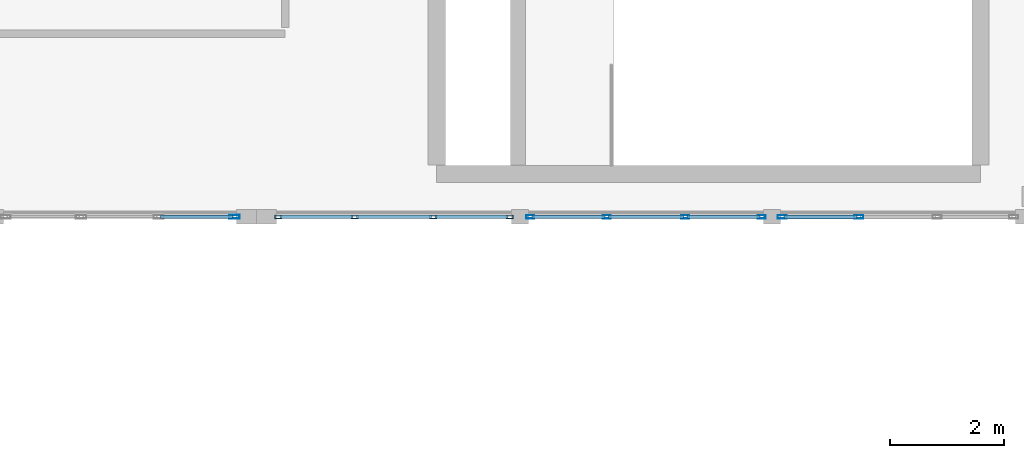
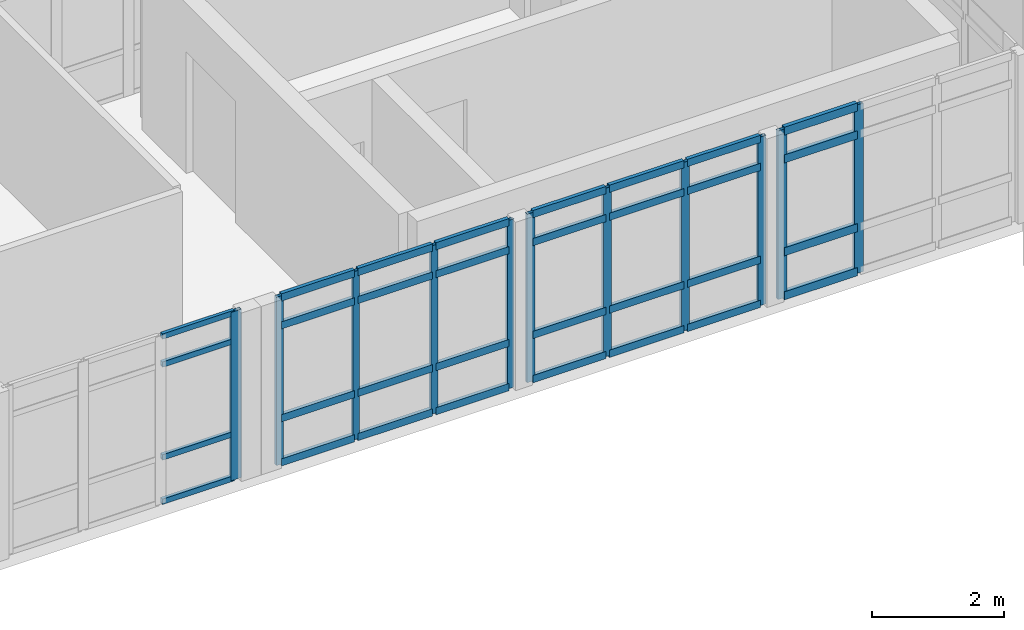
# One storey, part 19 of 37: 43 members, 4 elements without a shape of their own.
"""IFC4 building model written with IfcOpenShell, lengths in metres."""

from ifc_helpers import new_model, si_unit, direction, frame, origin, origin_2d, place, context, subcontext, project, spatial, hollow_rectangle, extrude, material, layer, layer_set, material_profile, profile_set, type_object, element, aggregate, save


model = new_model("IFC4")

# Units and contexts
model_context = context("Model", 3, precision=1e-05, world=origin(), true_north=direction((0.0, 1.0)))
body_context = subcontext(model_context, "Body", "Model", "MODEL_VIEW")
ifc_project = project(units=[si_unit("LENGTHUNIT", "METRE"), si_unit("AREAUNIT", "SQUARE_METRE"), si_unit("VOLUMEUNIT", "CUBIC_METRE"), si_unit("PLANEANGLEUNIT", "RADIAN"), si_unit("MASSUNIT", "GRAM", prefix="KILO")], contexts=[model_context])

# Site, building, storey
site_placement = place(None, origin())
site = spatial("IfcSite", under=ifc_project, at=site_placement, CompositionType="ELEMENT")
building_placement = place(site_placement, origin())
building = spatial("IfcBuilding", under=site, at=building_placement, Name="Fikremerkos Civic Library", CompositionType="ELEMENT")
storey_placement = place(building_placement, frame((0.0, 0.0, 23.39990234375)))
storey = spatial("IfcBuildingStorey", under=building, at=storey_placement, Name="L05", CompositionType="ELEMENT", Elevation=23.39990234375)

# Curtain wall, member
ifc_material = material(Name="Anodized aluminium Frame", Category="aluminium")
ifc_layer_1 = layer(ifc_material, 0.159912109375, Name="Anodized aluminium Frame")
ifc_layer_set_1 = layer_set([ifc_layer_1], Name="Anodized aluminium Frame")
curtain_wall_type_1 = type_object("IfcCurtainWallType", Name="Unitised curtain wall CW-13 3700x3200", PredefinedType="USERDEFINED", material=ifc_layer_set_1)
curtain_wall_1_placement = place(storey_placement, origin())
curtain_wall_1 = element("IfcCurtainWall", 1, at=curtain_wall_1_placement, inside=storey, type_object=curtain_wall_type_1, Name="Unitised curtain wall CW-13 L05 #283", ObjectType="UNITISED CURTAIN WALL", PredefinedType="USERDEFINED")
ifc_material_profile_1 = material_profile(ifc_material, hollow_rectangle(XDim=0.06494140625, YDim=0.179931640625, WallThickness=0.00439453125, at=origin_2d()), Name="ALU 180x65x4.5")
ifc_profile_set_1 = profile_set([ifc_material_profile_1], Name="Anodized aluminium Frame")
member_type_1 = type_object("IfcMemberType", Name="Curtain mullion CWM-01 ALU 180x65x4.5", PredefinedType="MULLION", material=ifc_profile_set_1)
member_1_placement = place(storey_placement, frame((99.8154296875, 21.60009765625, 0.0), z_axis=(0.0, 0.0, 1.0), x_axis=(0.0, -1.0, 0.0)))
member_1 = element("IfcMember", 2, at=member_1_placement, type_object=member_type_1, Name="CW-13 mullion 1", PredefinedType="MULLION", context=body_context, shape_type="SweptSolid", body=[
    extrude(hollow_rectangle(XDim=0.06494140625, YDim=0.179931640625, WallThickness=0.00439453125, at=origin_2d()), origin(), (0.0, 0.0, 1.0), 3.1201171875),
])

# Curtain wall, members
ifc_layer_2 = layer(ifc_material, 0.159912109375, Name="Anodized aluminium Frame")
ifc_layer_set_2 = layer_set([ifc_layer_2], Name="Anodized aluminium Frame")
curtain_wall_type_2 = type_object("IfcCurtainWallType", Name="Unitised curtain wall CW-10 4000x3400", PredefinedType="USERDEFINED", material=ifc_layer_set_2)
curtain_wall_2_placement = place(storey_placement, origin())
curtain_wall_2 = element("IfcCurtainWall", 3, at=curtain_wall_2_placement, inside=storey, type_object=curtain_wall_type_2, Name="Unitised curtain wall CW-10 L05 #280", ObjectType="UNITISED CURTAIN WALL", PredefinedType="USERDEFINED")
ifc_material_profile_2 = material_profile(ifc_material, hollow_rectangle(XDim=0.06005859375, YDim=0.159912109375, WallThickness=0.00390625, at=origin_2d()), Name="ALU 160x60x4")
ifc_profile_set_2 = profile_set([ifc_material_profile_2], Name="Anodized aluminium Frame")
member_type_2 = type_object("IfcMemberType", Name="Curtain mullion CWM-02 ALU 160x60x4", PredefinedType="MULLION", material=ifc_profile_set_2)
member_2_placement = place(storey_placement, frame((110.724853515625, 21.60009765625, 0.0), z_axis=(0.0, 0.0, 1.0), x_axis=(0.0, -1.0, 0.0)))
member_2 = element("IfcMember", 4, at=member_2_placement, type_object=member_type_2, Name="CW-10 mullion 3", PredefinedType="MULLION", context=body_context, shape_type="SweptSolid", body=[
    extrude(hollow_rectangle(XDim=0.06005859375, YDim=0.159912109375, WallThickness=0.00390625, at=origin_2d()), origin(), (0.0, 0.0, 1.0), 3.1201171875),
])
member_3_placement = place(storey_placement, frame((109.387451171875, 21.60009765625, 0.0), z_axis=(0.0, 0.0, 1.0), x_axis=(0.0, -1.0, 0.0)))
member_3 = element("IfcMember", 5, at=member_3_placement, type_object=member_type_2, Name="CW-10 mullion 4", PredefinedType="MULLION", context=body_context, shape_type="SweptSolid", body=[
    extrude(hollow_rectangle(XDim=0.06005859375, YDim=0.159912109375, WallThickness=0.00390625, at=origin_2d()), origin(), (0.0, 0.0, 1.0), 3.1201171875),
])

ifc_layer_3 = layer(ifc_material, 0.159912109375, Name="Anodized aluminium Frame")
ifc_layer_set_3 = layer_set([ifc_layer_3], Name="Anodized aluminium Frame")
curtain_wall_type_3 = type_object("IfcCurtainWallType", Name="Unitised curtain wall CW-11 3200x3400", PredefinedType="USERDEFINED", material=ifc_layer_set_3)
curtain_wall_3_placement = place(storey_placement, origin())
curtain_wall_3 = element("IfcCurtainWall", 6, at=curtain_wall_3_placement, inside=storey, type_object=curtain_wall_type_3, Name="Unitised curtain wall CW-11 L05 #281", ObjectType="UNITISED CURTAIN WALL", PredefinedType="USERDEFINED")
ifc_material_profile_3 = material_profile(ifc_material, hollow_rectangle(XDim=0.06005859375, YDim=0.139892578125, WallThickness=0.00390625, at=origin_2d()), Name="ALU 140x60x4")
ifc_profile_set_3 = profile_set([ifc_material_profile_3], Name="Anodized aluminium Frame")
member_type_3 = type_object("IfcMemberType", Name="Curtain mullion CWM-03 ALU 140x60x4", PredefinedType="MULLION", material=ifc_profile_set_3)
member_4_placement = place(storey_placement, frame((109.02734375, 21.60009765625, 0.0), z_axis=(0.0, 0.0, 1.0), x_axis=(0.0, -1.0, 0.0)))
member_4 = element("IfcMember", 7, at=member_4_placement, type_object=member_type_3, Name="CW-11 mullion 1", PredefinedType="MULLION", context=body_context, shape_type="SweptSolid", body=[
    extrude(hollow_rectangle(XDim=0.06005859375, YDim=0.139892578125, WallThickness=0.00390625, at=origin_2d()), origin(), (0.0, 0.0, 1.0), 3.1201171875),
])
member_5_placement = place(storey_placement, frame((107.689697265625, 21.60009765625, 0.0), z_axis=(0.0, 0.0, 1.0), x_axis=(0.0, -1.0, 0.0)))
member_5 = element("IfcMember", 8, at=member_5_placement, type_object=member_type_3, Name="CW-11 mullion 2", PredefinedType="MULLION", context=body_context, shape_type="SweptSolid", body=[
    extrude(hollow_rectangle(XDim=0.06005859375, YDim=0.139892578125, WallThickness=0.00390625, at=origin_2d()), origin(), (0.0, 0.0, 1.0), 3.1201171875),
])
member_6_placement = place(storey_placement, frame((106.322265625, 21.60009765625, 0.0), z_axis=(0.0, 0.0, 1.0), x_axis=(0.0, -1.0, 0.0)))
member_6 = element("IfcMember", 9, at=member_6_placement, type_object=member_type_3, Name="CW-11 mullion 3", PredefinedType="MULLION", context=body_context, shape_type="SweptSolid", body=[
    extrude(hollow_rectangle(XDim=0.06005859375, YDim=0.139892578125, WallThickness=0.00390625, at=origin_2d()), origin(), (0.0, 0.0, 1.0), 3.1201171875),
])
member_7_placement = place(storey_placement, frame((104.984619140625, 21.60009765625, 0.0), z_axis=(0.0, 0.0, 1.0), x_axis=(0.0, -1.0, 0.0)))
member_7 = element("IfcMember", 10, at=member_7_placement, type_object=member_type_3, Name="CW-11 mullion 4", PredefinedType="MULLION", context=body_context, shape_type="SweptSolid", body=[
    extrude(hollow_rectangle(XDim=0.06005859375, YDim=0.139892578125, WallThickness=0.00390625, at=origin_2d()), origin(), (0.0, 0.0, 1.0), 3.1201171875),
])

ifc_layer_4 = layer(ifc_material, 0.159912109375, Name="Anodized aluminium Frame")
ifc_layer_set_4 = layer_set([ifc_layer_4], Name="Anodized aluminium Frame")
curtain_wall_type_4 = type_object("IfcCurtainWallType", Name="Unitised curtain wall CW-12 4300x3400", PredefinedType="USERDEFINED", material=ifc_layer_set_4)
curtain_wall_4_placement = place(storey_placement, origin())
curtain_wall_4 = element("IfcCurtainWall", 11, at=curtain_wall_4_placement, inside=storey, type_object=curtain_wall_type_4, Name="Unitised curtain wall CW-12 L05 #282", ObjectType="UNITISED CURTAIN WALL", PredefinedType="USERDEFINED")
ifc_material_profile_4 = material_profile(ifc_material, hollow_rectangle(XDim=0.06005859375, YDim=0.1201171875, WallThickness=0.00390625, at=origin_2d()), Name="ALU 120x60x4")
ifc_profile_set_4 = profile_set([ifc_material_profile_4], Name="Anodized aluminium Frame")
member_type_4 = type_object("IfcMemberType", Name="Curtain mullion CWM-04 ALU 120x60x4", PredefinedType="MULLION", material=ifc_profile_set_4)
member_8_placement = place(storey_placement, frame((104.624755859375, 21.60009765625, 0.0), z_axis=(0.0, 0.0, 1.0), x_axis=(0.0, -1.0, 0.0)))
member_8 = element("IfcMember", 12, at=member_8_placement, type_object=member_type_4, Name="CW-12 mullion 1", PredefinedType="MULLION", context=body_context, shape_type="SweptSolid", body=[
    extrude(hollow_rectangle(XDim=0.06005859375, YDim=0.1201171875, WallThickness=0.00390625, at=origin_2d()), origin(), (0.0, 0.0, 1.0), 3.1201171875),
])
member_9_placement = place(storey_placement, frame((103.287109375, 21.60009765625, 0.0), z_axis=(0.0, 0.0, 1.0), x_axis=(0.0, -1.0, 0.0)))
member_9 = element("IfcMember", 13, at=member_9_placement, type_object=member_type_4, Name="CW-12 mullion 2", PredefinedType="MULLION", context=body_context, shape_type="SweptSolid", body=[
    extrude(hollow_rectangle(XDim=0.06005859375, YDim=0.1201171875, WallThickness=0.00390625, at=origin_2d()), origin(), (0.0, 0.0, 1.0), 3.1201171875),
])
member_10_placement = place(storey_placement, frame((101.919677734375, 21.60009765625, 0.0), z_axis=(0.0, 0.0, 1.0), x_axis=(0.0, -1.0, 0.0)))
member_10 = element("IfcMember", 14, at=member_10_placement, type_object=member_type_4, Name="CW-12 mullion 3", PredefinedType="MULLION", context=body_context, shape_type="SweptSolid", body=[
    extrude(hollow_rectangle(XDim=0.06005859375, YDim=0.1201171875, WallThickness=0.00390625, at=origin_2d()), origin(), (0.0, 0.0, 1.0), 3.1201171875),
])
member_11_placement = place(storey_placement, frame((100.58203125, 21.60009765625, 0.0), z_axis=(0.0, 0.0, 1.0), x_axis=(0.0, -1.0, 0.0)))
member_11 = element("IfcMember", 15, at=member_11_placement, type_object=member_type_4, Name="CW-12 mullion 4", PredefinedType="MULLION", context=body_context, shape_type="SweptSolid", body=[
    extrude(hollow_rectangle(XDim=0.06005859375, YDim=0.1201171875, WallThickness=0.00390625, at=origin_2d()), origin(), (0.0, 0.0, 1.0), 3.1201171875),
])

# Member
ifc_material_profile_5 = material_profile(ifc_material, hollow_rectangle(XDim=0.070068359375, YDim=0.14990234375, WallThickness=0.00439453125, at=origin_2d()), Name="ALU 150x70x4.5")
ifc_profile_set_5 = profile_set([ifc_material_profile_5], Name="Anodized aluminium Frame")
member_type_5 = type_object("IfcMemberType", Name="Curtain transom CWT-01 ALU 150x70x4.5", PredefinedType="USERDEFINED", material=ifc_profile_set_5)
member_12_placement = place(storey_placement, frame((110.69482421875, 21.60009765625, 0.03515625), z_axis=(-1.0, 0.0, 0.0), x_axis=(0.0, -1.0, 0.0)))
member_12 = element("IfcMember", 16, at=member_12_placement, type_object=member_type_5, Name="CW-10 transom 3.1", ObjectType="TRANSOM", PredefinedType="USERDEFINED", context=body_context, shape_type="SweptSolid", body=[
    extrude(hollow_rectangle(XDim=0.070068359375, YDim=0.14990234375, WallThickness=0.00439453125, at=origin_2d()), origin(), (0.0, 0.0, 1.0), 1.277587890625),
])

member_13_placement = place(storey_placement, frame((110.69482421875, 21.60009765625, 0.85009765625), z_axis=(-1.0, 0.0, 0.0), x_axis=(0.0, -1.0, 0.0)))
member_13 = element("IfcMember", 17, at=member_13_placement, type_object=member_type_5, Name="CW-10 transom 3.2", ObjectType="TRANSOM", PredefinedType="USERDEFINED", context=body_context, shape_type="SweptSolid", body=[
    extrude(hollow_rectangle(XDim=0.070068359375, YDim=0.14990234375, WallThickness=0.00439453125, at=origin_2d()), origin(), (0.0, 0.0, 1.0), 1.277587890625),
])

member_14_placement = place(storey_placement, frame((110.69482421875, 21.60009765625, 2.570068359375), z_axis=(-1.0, 0.0, 0.0), x_axis=(0.0, -1.0, 0.0)))
member_14 = element("IfcMember", 18, at=member_14_placement, type_object=member_type_5, Name="CW-10 transom 3.3", ObjectType="TRANSOM", PredefinedType="USERDEFINED", context=body_context, shape_type="SweptSolid", body=[
    extrude(hollow_rectangle(XDim=0.070068359375, YDim=0.14990234375, WallThickness=0.00439453125, at=origin_2d()), origin(), (0.0, 0.0, 1.0), 1.277587890625),
])

member_15_placement = place(storey_placement, frame((110.69482421875, 21.60009765625, 3.085205078125), z_axis=(-1.0, 0.0, 0.0), x_axis=(0.0, -1.0, 0.0)))
member_15 = element("IfcMember", 19, at=member_15_placement, type_object=member_type_5, Name="CW-10 transom 3.4", ObjectType="TRANSOM", PredefinedType="USERDEFINED", context=body_context, shape_type="SweptSolid", body=[
    extrude(hollow_rectangle(XDim=0.070068359375, YDim=0.14990234375, WallThickness=0.00439453125, at=origin_2d()), origin(), (0.0, 0.0, 1.0), 1.277587890625),
])

aggregate(curtain_wall_2, [member_2, member_3, member_12, member_13, member_14, member_15])

ifc_material_profile_6 = material_profile(ifc_material, hollow_rectangle(XDim=0.06494140625, YDim=0.135009765625, WallThickness=0.00439453125, at=origin_2d()), Name="ALU 135x65x4.5")
ifc_profile_set_6 = profile_set([ifc_material_profile_6], Name="Anodized aluminium Frame")
member_type_6 = type_object("IfcMemberType", Name="Curtain transom CWT-02 ALU 135x65x4.5", PredefinedType="USERDEFINED", material=ifc_profile_set_6)
member_16_placement = place(storey_placement, frame((108.997314453125, 21.60009765625, 0.03271484375), z_axis=(-1.0, 0.0, 0.0), x_axis=(0.0, -1.0, 0.0)))
member_16 = element("IfcMember", 20, at=member_16_placement, type_object=member_type_6, Name="CW-11 transom 1.1", ObjectType="TRANSOM", PredefinedType="USERDEFINED", context=body_context, shape_type="SweptSolid", body=[
    extrude(hollow_rectangle(XDim=0.06494140625, YDim=0.135009765625, WallThickness=0.00439453125, at=origin_2d()), origin(), (0.0, 0.0, 1.0), 1.277587890625),
])

member_17_placement = place(storey_placement, frame((108.997314453125, 21.60009765625, 0.85009765625), z_axis=(-1.0, 0.0, 0.0), x_axis=(0.0, -1.0, 0.0)))
member_17 = element("IfcMember", 21, at=member_17_placement, type_object=member_type_6, Name="CW-11 transom 1.2", ObjectType="TRANSOM", PredefinedType="USERDEFINED", context=body_context, shape_type="SweptSolid", body=[
    extrude(hollow_rectangle(XDim=0.06494140625, YDim=0.135009765625, WallThickness=0.00439453125, at=origin_2d()), origin(), (0.0, 0.0, 1.0), 1.277587890625),
])

member_18_placement = place(storey_placement, frame((108.997314453125, 21.60009765625, 2.570068359375), z_axis=(-1.0, 0.0, 0.0), x_axis=(0.0, -1.0, 0.0)))
member_18 = element("IfcMember", 22, at=member_18_placement, type_object=member_type_6, Name="CW-11 transom 1.3", ObjectType="TRANSOM", PredefinedType="USERDEFINED", context=body_context, shape_type="SweptSolid", body=[
    extrude(hollow_rectangle(XDim=0.06494140625, YDim=0.135009765625, WallThickness=0.00439453125, at=origin_2d()), origin(), (0.0, 0.0, 1.0), 1.277587890625),
])

member_19_placement = place(storey_placement, frame((108.997314453125, 21.60009765625, 3.087646484375), z_axis=(-1.0, 0.0, 0.0), x_axis=(0.0, -1.0, 0.0)))
member_19 = element("IfcMember", 23, at=member_19_placement, type_object=member_type_6, Name="CW-11 transom 1.4", ObjectType="TRANSOM", PredefinedType="USERDEFINED", context=body_context, shape_type="SweptSolid", body=[
    extrude(hollow_rectangle(XDim=0.06494140625, YDim=0.135009765625, WallThickness=0.00439453125, at=origin_2d()), origin(), (0.0, 0.0, 1.0), 1.277587890625),
])

member_20_placement = place(storey_placement, frame((107.65966796875, 21.60009765625, 0.03271484375), z_axis=(-1.0, 0.0, 0.0), x_axis=(0.0, -1.0, 0.0)))
member_20 = element("IfcMember", 24, at=member_20_placement, type_object=member_type_6, Name="CW-11 transom 2.1", ObjectType="TRANSOM", PredefinedType="USERDEFINED", context=body_context, shape_type="SweptSolid", body=[
    extrude(hollow_rectangle(XDim=0.06494140625, YDim=0.135009765625, WallThickness=0.00439453125, at=origin_2d()), origin(), (0.0, 0.0, 1.0), 1.307373046875),
])

member_21_placement = place(storey_placement, frame((107.65966796875, 21.60009765625, 0.85009765625), z_axis=(-1.0, 0.0, 0.0), x_axis=(0.0, -1.0, 0.0)))
member_21 = element("IfcMember", 25, at=member_21_placement, type_object=member_type_6, Name="CW-11 transom 2.2", ObjectType="TRANSOM", PredefinedType="USERDEFINED", context=body_context, shape_type="SweptSolid", body=[
    extrude(hollow_rectangle(XDim=0.06494140625, YDim=0.135009765625, WallThickness=0.00439453125, at=origin_2d()), origin(), (0.0, 0.0, 1.0), 1.307373046875),
])

member_22_placement = place(storey_placement, frame((107.65966796875, 21.60009765625, 2.570068359375), z_axis=(-1.0, 0.0, 0.0), x_axis=(0.0, -1.0, 0.0)))
member_22 = element("IfcMember", 26, at=member_22_placement, type_object=member_type_6, Name="CW-11 transom 2.3", ObjectType="TRANSOM", PredefinedType="USERDEFINED", context=body_context, shape_type="SweptSolid", body=[
    extrude(hollow_rectangle(XDim=0.06494140625, YDim=0.135009765625, WallThickness=0.00439453125, at=origin_2d()), origin(), (0.0, 0.0, 1.0), 1.307373046875),
])

member_23_placement = place(storey_placement, frame((107.65966796875, 21.60009765625, 3.087646484375), z_axis=(-1.0, 0.0, 0.0), x_axis=(0.0, -1.0, 0.0)))
member_23 = element("IfcMember", 27, at=member_23_placement, type_object=member_type_6, Name="CW-11 transom 2.4", ObjectType="TRANSOM", PredefinedType="USERDEFINED", context=body_context, shape_type="SweptSolid", body=[
    extrude(hollow_rectangle(XDim=0.06494140625, YDim=0.135009765625, WallThickness=0.00439453125, at=origin_2d()), origin(), (0.0, 0.0, 1.0), 1.307373046875),
])

member_24_placement = place(storey_placement, frame((106.292236328125, 21.60009765625, 0.03271484375), z_axis=(-1.0, 0.0, 0.0), x_axis=(0.0, -1.0, 0.0)))
member_24 = element("IfcMember", 28, at=member_24_placement, type_object=member_type_6, Name="CW-11 transom 3.1", ObjectType="TRANSOM", PredefinedType="USERDEFINED", context=body_context, shape_type="SweptSolid", body=[
    extrude(hollow_rectangle(XDim=0.06494140625, YDim=0.135009765625, WallThickness=0.00439453125, at=origin_2d()), origin(), (0.0, 0.0, 1.0), 1.277587890625),
])

member_25_placement = place(storey_placement, frame((106.292236328125, 21.60009765625, 0.85009765625), z_axis=(-1.0, 0.0, 0.0), x_axis=(0.0, -1.0, 0.0)))
member_25 = element("IfcMember", 29, at=member_25_placement, type_object=member_type_6, Name="CW-11 transom 3.2", ObjectType="TRANSOM", PredefinedType="USERDEFINED", context=body_context, shape_type="SweptSolid", body=[
    extrude(hollow_rectangle(XDim=0.06494140625, YDim=0.135009765625, WallThickness=0.00439453125, at=origin_2d()), origin(), (0.0, 0.0, 1.0), 1.277587890625),
])

member_26_placement = place(storey_placement, frame((106.292236328125, 21.60009765625, 2.570068359375), z_axis=(-1.0, 0.0, 0.0), x_axis=(0.0, -1.0, 0.0)))
member_26 = element("IfcMember", 30, at=member_26_placement, type_object=member_type_6, Name="CW-11 transom 3.3", ObjectType="TRANSOM", PredefinedType="USERDEFINED", context=body_context, shape_type="SweptSolid", body=[
    extrude(hollow_rectangle(XDim=0.06494140625, YDim=0.135009765625, WallThickness=0.00439453125, at=origin_2d()), origin(), (0.0, 0.0, 1.0), 1.277587890625),
])

member_27_placement = place(storey_placement, frame((106.292236328125, 21.60009765625, 3.087646484375), z_axis=(-1.0, 0.0, 0.0), x_axis=(0.0, -1.0, 0.0)))
member_27 = element("IfcMember", 31, at=member_27_placement, type_object=member_type_6, Name="CW-11 transom 3.4", ObjectType="TRANSOM", PredefinedType="USERDEFINED", context=body_context, shape_type="SweptSolid", body=[
    extrude(hollow_rectangle(XDim=0.06494140625, YDim=0.135009765625, WallThickness=0.00439453125, at=origin_2d()), origin(), (0.0, 0.0, 1.0), 1.277587890625),
])

aggregate(curtain_wall_3, [member_4, member_5, member_6, member_7, member_16, member_17, member_18, member_19, member_20, member_21, member_22, member_23, member_24, member_25, member_26, member_27])

member_28_placement = place(storey_placement, frame((104.5947265625, 21.60009765625, 0.03271484375), z_axis=(-1.0, 0.0, 0.0), x_axis=(0.0, -1.0, 0.0)))
member_28 = element("IfcMember", 32, at=member_28_placement, type_object=member_type_6, Name="CW-12 transom 1.1", ObjectType="TRANSOM", PredefinedType="USERDEFINED", context=body_context, shape_type="SweptSolid", body=[
    extrude(hollow_rectangle(XDim=0.06494140625, YDim=0.135009765625, WallThickness=0.00439453125, at=origin_2d()), origin(), (0.0, 0.0, 1.0), 1.277587890625),
])

member_29_placement = place(storey_placement, frame((104.5947265625, 21.60009765625, 0.85009765625), z_axis=(-1.0, 0.0, 0.0), x_axis=(0.0, -1.0, 0.0)))
member_29 = element("IfcMember", 33, at=member_29_placement, type_object=member_type_6, Name="CW-12 transom 1.2", ObjectType="TRANSOM", PredefinedType="USERDEFINED", context=body_context, shape_type="SweptSolid", body=[
    extrude(hollow_rectangle(XDim=0.06494140625, YDim=0.135009765625, WallThickness=0.00439453125, at=origin_2d()), origin(), (0.0, 0.0, 1.0), 1.277587890625),
])

member_30_placement = place(storey_placement, frame((104.5947265625, 21.60009765625, 2.570068359375), z_axis=(-1.0, 0.0, 0.0), x_axis=(0.0, -1.0, 0.0)))
member_30 = element("IfcMember", 34, at=member_30_placement, type_object=member_type_6, Name="CW-12 transom 1.3", ObjectType="TRANSOM", PredefinedType="USERDEFINED", context=body_context, shape_type="SweptSolid", body=[
    extrude(hollow_rectangle(XDim=0.06494140625, YDim=0.135009765625, WallThickness=0.00439453125, at=origin_2d()), origin(), (0.0, 0.0, 1.0), 1.277587890625),
])

member_31_placement = place(storey_placement, frame((104.5947265625, 21.60009765625, 3.087646484375), z_axis=(-1.0, 0.0, 0.0), x_axis=(0.0, -1.0, 0.0)))
member_31 = element("IfcMember", 35, at=member_31_placement, type_object=member_type_6, Name="CW-12 transom 1.4", ObjectType="TRANSOM", PredefinedType="USERDEFINED", context=body_context, shape_type="SweptSolid", body=[
    extrude(hollow_rectangle(XDim=0.06494140625, YDim=0.135009765625, WallThickness=0.00439453125, at=origin_2d()), origin(), (0.0, 0.0, 1.0), 1.277587890625),
])

member_32_placement = place(storey_placement, frame((103.257080078125, 21.60009765625, 0.03271484375), z_axis=(-1.0, 0.0, 0.0), x_axis=(0.0, -1.0, 0.0)))
member_32 = element("IfcMember", 36, at=member_32_placement, type_object=member_type_6, Name="CW-12 transom 2.1", ObjectType="TRANSOM", PredefinedType="USERDEFINED", context=body_context, shape_type="SweptSolid", body=[
    extrude(hollow_rectangle(XDim=0.06494140625, YDim=0.135009765625, WallThickness=0.00439453125, at=origin_2d()), origin(), (0.0, 0.0, 1.0), 1.3076171875),
])

member_33_placement = place(storey_placement, frame((103.257080078125, 21.60009765625, 0.85009765625), z_axis=(-1.0, 0.0, 0.0), x_axis=(0.0, -1.0, 0.0)))
member_33 = element("IfcMember", 37, at=member_33_placement, type_object=member_type_6, Name="CW-12 transom 2.2", ObjectType="TRANSOM", PredefinedType="USERDEFINED", context=body_context, shape_type="SweptSolid", body=[
    extrude(hollow_rectangle(XDim=0.06494140625, YDim=0.135009765625, WallThickness=0.00439453125, at=origin_2d()), origin(), (0.0, 0.0, 1.0), 1.3076171875),
])

member_34_placement = place(storey_placement, frame((103.257080078125, 21.60009765625, 2.570068359375), z_axis=(-1.0, 0.0, 0.0), x_axis=(0.0, -1.0, 0.0)))
member_34 = element("IfcMember", 38, at=member_34_placement, type_object=member_type_6, Name="CW-12 transom 2.3", ObjectType="TRANSOM", PredefinedType="USERDEFINED", context=body_context, shape_type="SweptSolid", body=[
    extrude(hollow_rectangle(XDim=0.06494140625, YDim=0.135009765625, WallThickness=0.00439453125, at=origin_2d()), origin(), (0.0, 0.0, 1.0), 1.3076171875),
])

member_35_placement = place(storey_placement, frame((103.257080078125, 21.60009765625, 3.087646484375), z_axis=(-1.0, 0.0, 0.0), x_axis=(0.0, -1.0, 0.0)))
member_35 = element("IfcMember", 39, at=member_35_placement, type_object=member_type_6, Name="CW-12 transom 2.4", ObjectType="TRANSOM", PredefinedType="USERDEFINED", context=body_context, shape_type="SweptSolid", body=[
    extrude(hollow_rectangle(XDim=0.06494140625, YDim=0.135009765625, WallThickness=0.00439453125, at=origin_2d()), origin(), (0.0, 0.0, 1.0), 1.3076171875),
])

member_36_placement = place(storey_placement, frame((101.8896484375, 21.60009765625, 0.03271484375), z_axis=(-1.0, 0.0, 0.0), x_axis=(0.0, -1.0, 0.0)))
member_36 = element("IfcMember", 40, at=member_36_placement, type_object=member_type_6, Name="CW-12 transom 3.1", ObjectType="TRANSOM", PredefinedType="USERDEFINED", context=body_context, shape_type="SweptSolid", body=[
    extrude(hollow_rectangle(XDim=0.06494140625, YDim=0.135009765625, WallThickness=0.00439453125, at=origin_2d()), origin(), (0.0, 0.0, 1.0), 1.277587890625),
])

member_37_placement = place(storey_placement, frame((101.8896484375, 21.60009765625, 0.85009765625), z_axis=(-1.0, 0.0, 0.0), x_axis=(0.0, -1.0, 0.0)))
member_37 = element("IfcMember", 41, at=member_37_placement, type_object=member_type_6, Name="CW-12 transom 3.2", ObjectType="TRANSOM", PredefinedType="USERDEFINED", context=body_context, shape_type="SweptSolid", body=[
    extrude(hollow_rectangle(XDim=0.06494140625, YDim=0.135009765625, WallThickness=0.00439453125, at=origin_2d()), origin(), (0.0, 0.0, 1.0), 1.277587890625),
])

member_38_placement = place(storey_placement, frame((101.8896484375, 21.60009765625, 2.570068359375), z_axis=(-1.0, 0.0, 0.0), x_axis=(0.0, -1.0, 0.0)))
member_38 = element("IfcMember", 42, at=member_38_placement, type_object=member_type_6, Name="CW-12 transom 3.3", ObjectType="TRANSOM", PredefinedType="USERDEFINED", context=body_context, shape_type="SweptSolid", body=[
    extrude(hollow_rectangle(XDim=0.06494140625, YDim=0.135009765625, WallThickness=0.00439453125, at=origin_2d()), origin(), (0.0, 0.0, 1.0), 1.277587890625),
])

member_39_placement = place(storey_placement, frame((101.8896484375, 21.60009765625, 3.087646484375), z_axis=(-1.0, 0.0, 0.0), x_axis=(0.0, -1.0, 0.0)))
member_39 = element("IfcMember", 43, at=member_39_placement, type_object=member_type_6, Name="CW-12 transom 3.4", ObjectType="TRANSOM", PredefinedType="USERDEFINED", context=body_context, shape_type="SweptSolid", body=[
    extrude(hollow_rectangle(XDim=0.06494140625, YDim=0.135009765625, WallThickness=0.00439453125, at=origin_2d()), origin(), (0.0, 0.0, 1.0), 1.277587890625),
])

aggregate(curtain_wall_4, [member_8, member_9, member_10, member_11, member_28, member_29, member_30, member_31, member_32, member_33, member_34, member_35, member_36, member_37, member_38, member_39])

ifc_material_profile_7 = material_profile(ifc_material, hollow_rectangle(XDim=0.06005859375, YDim=0.10009765625, WallThickness=0.00390625, at=origin_2d()), Name="ALU 100x60x4")
ifc_profile_set_7 = profile_set([ifc_material_profile_7], Name="Anodized aluminium Frame")
member_type_7 = type_object("IfcMemberType", Name="Curtain transom CWT-03 ALU 100x60x4", PredefinedType="USERDEFINED", material=ifc_profile_set_7)
member_40_placement = place(storey_placement, frame((99.782958984375, 21.60009765625, 0.030029296875), z_axis=(-1.0, 0.0, 0.0), x_axis=(0.0, -1.0, 0.0)))
member_40 = element("IfcMember", 44, at=member_40_placement, type_object=member_type_7, Name="CW-13 transom 1.1", ObjectType="TRANSOM", PredefinedType="USERDEFINED", context=body_context, shape_type="SweptSolid", body=[
    extrude(hollow_rectangle(XDim=0.06005859375, YDim=0.10009765625, WallThickness=0.00390625, at=origin_2d()), origin(), (0.0, 0.0, 1.0), 1.257568359375),
])

member_41_placement = place(storey_placement, frame((99.782958984375, 21.60009765625, 0.85009765625), z_axis=(-1.0, 0.0, 0.0), x_axis=(0.0, -1.0, 0.0)))
member_41 = element("IfcMember", 45, at=member_41_placement, type_object=member_type_7, Name="CW-13 transom 1.2", ObjectType="TRANSOM", PredefinedType="USERDEFINED", context=body_context, shape_type="SweptSolid", body=[
    extrude(hollow_rectangle(XDim=0.06005859375, YDim=0.10009765625, WallThickness=0.00390625, at=origin_2d()), origin(), (0.0, 0.0, 1.0), 1.257568359375),
])

member_42_placement = place(storey_placement, frame((99.782958984375, 21.60009765625, 2.570068359375), z_axis=(-1.0, 0.0, 0.0), x_axis=(0.0, -1.0, 0.0)))
member_42 = element("IfcMember", 46, at=member_42_placement, type_object=member_type_7, Name="CW-13 transom 1.3", ObjectType="TRANSOM", PredefinedType="USERDEFINED", context=body_context, shape_type="SweptSolid", body=[
    extrude(hollow_rectangle(XDim=0.06005859375, YDim=0.10009765625, WallThickness=0.00390625, at=origin_2d()), origin(), (0.0, 0.0, 1.0), 1.257568359375),
])

member_43_placement = place(storey_placement, frame((99.782958984375, 21.60009765625, 3.090087890625), z_axis=(-1.0, 0.0, 0.0), x_axis=(0.0, -1.0, 0.0)))
member_43 = element("IfcMember", 47, at=member_43_placement, type_object=member_type_7, Name="CW-13 transom 1.4", ObjectType="TRANSOM", PredefinedType="USERDEFINED", context=body_context, shape_type="SweptSolid", body=[
    extrude(hollow_rectangle(XDim=0.06005859375, YDim=0.10009765625, WallThickness=0.00390625, at=origin_2d()), origin(), (0.0, 0.0, 1.0), 1.257568359375),
])

aggregate(curtain_wall_1, [member_1, member_40, member_41, member_42, member_43])

save(model, "model.ifc")
